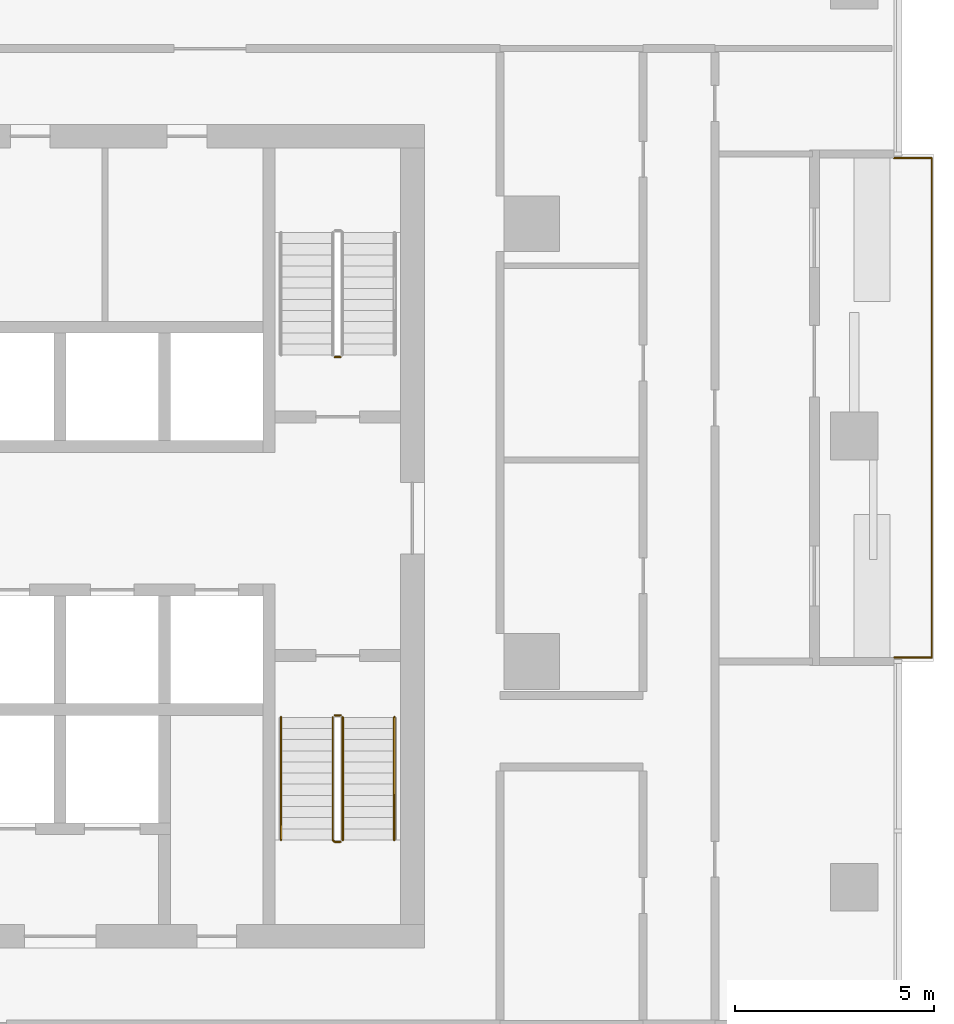
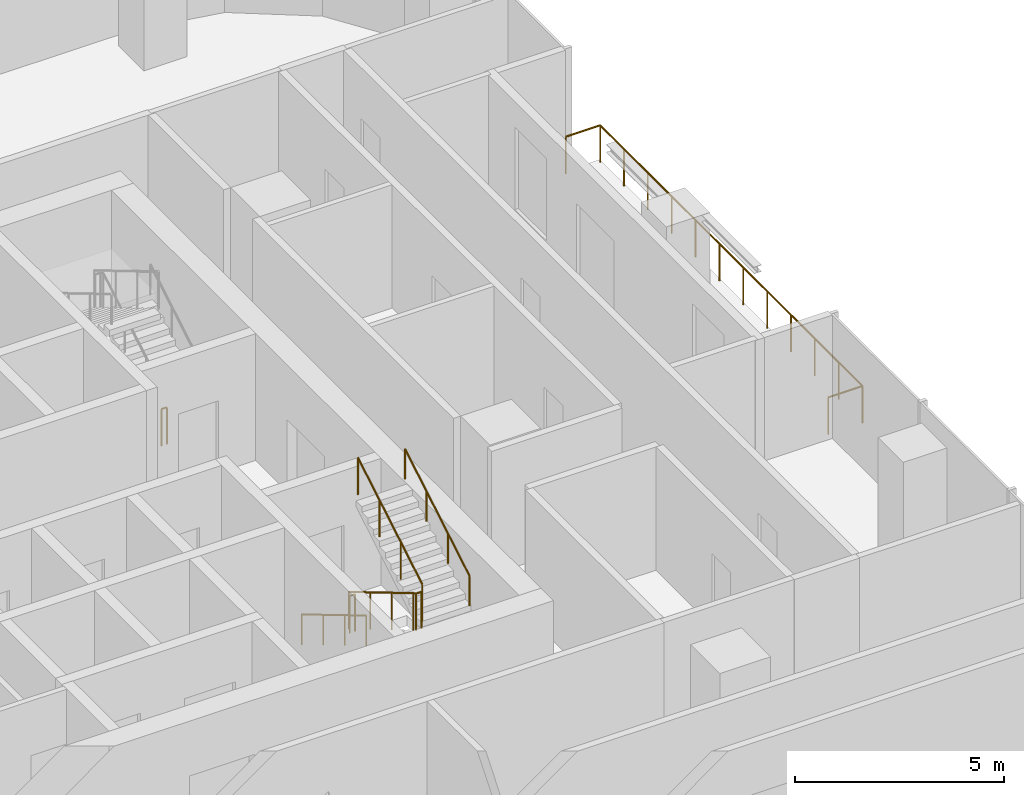
# One storey, part 14 of 15: 7 railings.
"""IFC4 building model written with IfcOpenShell, lengths in metres."""

from ifc_helpers import new_model, si_unit, direction, frame, origin, origin_2d, place, context, subcontext, project, spatial, circle, extrude, material, type_object, element, save


model = new_model("IFC4")

# Units and contexts
model_context = context("Model", 3, precision=1e-05, world=origin(), true_north=direction((0.0, 1.0)))
body_context = subcontext(model_context, "Body", "Model", "MODEL_VIEW")
ifc_project = project(units=[si_unit("LENGTHUNIT", "METRE"), si_unit("AREAUNIT", "SQUARE_METRE"), si_unit("VOLUMEUNIT", "CUBIC_METRE"), si_unit("PLANEANGLEUNIT", "RADIAN"), si_unit("MASSUNIT", "GRAM", prefix="KILO")], contexts=[model_context])

# Site, building, storey
site_placement = place(None, origin())
site = spatial("IfcSite", under=ifc_project, at=site_placement, CompositionType="ELEMENT")
building_placement = place(site_placement, origin())
building = spatial("IfcBuilding", under=site, at=building_placement, Name="Mopane Tessera Tower", CompositionType="ELEMENT")
storey_placement = place(building_placement, frame((0.0, 0.0, 173.0)))
storey = spatial("IfcBuildingStorey", under=building, at=storey_placement, Name="L35", CompositionType="ELEMENT", Elevation=173.0)

# Railings
ifc_material_1 = material(Name="Powder-coated steel balustrade", Category="steel")
railing_type_1 = type_object("IfcRailingType", Name="Escape stair guard 1100 mm", PredefinedType="GUARDRAIL", material=ifc_material_1)
railing_1_placement = place(storey_placement, frame((12.10009765625, -1.39990234375, 0.166748046875)))
element("IfcRailing", 1, at=railing_1_placement, inside=storey, type_object=railing_type_1, Name="L35 ST3 stair guard 1", PredefinedType="GUARDRAIL", context=body_context, shape_type="SweptSolid", body=[
    extrude(circle(Radius=0.02392578125, at=origin_2d()), frame((0.0, 0.0, 1.076171875), z_axis=(0.0, -0.859308565015, 0.511457515432), x_axis=(1.0, 0.0, 0.0)), (0.0, 0.0, 1.0), 3.58447265625),
    extrude(circle(Radius=0.02392578125, at=origin_2d()), frame((0.0, -3.080078125, 2.9091796875), z_axis=(0.705375805398, -0.708833529934, 0.0), x_axis=(0.708833529934, 0.705375805398, 0.0)), (0.0, 0.0, 1.0), 0.070556640625),
    extrude(circle(Radius=0.02392578125, at=origin_2d()), frame((0.0498046875, -3.130126953125, 2.9091796875), z_axis=(1.0, 0.0, 0.0), x_axis=(0.0, 1.0, 0.0)), (0.0, 0.0, 1.0), 0.150146484375),
    extrude(circle(Radius=0.02099609375, at=origin_2d()), origin(), (0.0, 0.0, 1.0), 1.052001953125),
    extrude(circle(Radius=0.02099609375, at=origin_2d()), frame((0.0, -1.026611328125, 0.611083984375)), (0.0, 0.0, 1.0), 1.052001953125),
    extrude(circle(Radius=0.02099609375, at=origin_2d()), frame((0.0, -2.053466796875, 1.22216796875)), (0.0, 0.0, 1.0), 1.052001953125),
    extrude(circle(Radius=0.02099609375, at=origin_2d()), frame((0.0, -3.080078125, 1.833251953125)), (0.0, 0.0, 1.0), 1.052001953125),
    extrude(circle(Radius=0.02099609375, at=origin_2d()), frame((0.0498046875, -3.130126953125, 1.833251953125)), (0.0, 0.0, 1.0), 1.052001953125),
    extrude(circle(Radius=0.02099609375, at=origin_2d()), frame((0.199951171875, -3.130126953125, 1.833251953125)), (0.0, 0.0, 1.0), 1.052001953125),
])
railing_2_placement = place(storey_placement, frame((12.35009765625, -4.47998046875, 2.166748046875)))
element("IfcRailing", 2, at=railing_2_placement, inside=storey, type_object=railing_type_1, Name="L35 ST3 stair guard 2", PredefinedType="GUARDRAIL", context=body_context, shape_type="SweptSolid", body=[
    extrude(circle(Radius=0.02392578125, at=origin_2d()), frame((0.0, 0.0, 1.076171875), z_axis=(0.0, 0.859308565015, 0.511457515432), x_axis=(-1.0, 0.0, 0.0)), (0.0, 0.0, 1.0), 3.58447265625),
    extrude(circle(Radius=0.02099609375, at=origin_2d()), origin(), (0.0, 0.0, 1.0), 1.052001953125),
    extrude(circle(Radius=0.02099609375, at=origin_2d()), frame((0.0, 1.026611328125, 0.611083984375)), (0.0, 0.0, 1.0), 1.052001953125),
    extrude(circle(Radius=0.02099609375, at=origin_2d()), frame((0.0, 2.053466796875, 1.22216796875)), (0.0, 0.0, 1.0), 1.052001953125),
    extrude(circle(Radius=0.02099609375, at=origin_2d()), frame((0.0, 3.080078125, 1.833251953125)), (0.0, 0.0, 1.0), 1.052001953125),
])
railing_3_placement = place(storey_placement, frame((12.14990234375, -1.35009765625, 0.0)))
element("IfcRailing", 3, at=railing_3_placement, inside=storey, type_object=railing_type_1, Name="L35 ST3 stair guard 3", PredefinedType="GUARDRAIL", context=body_context, shape_type="SweptSolid", body=[
    extrude(circle(Radius=0.02392578125, at=origin_2d()), frame((0.0, 0.0, 1.076171875), z_axis=(1.0, 0.0, 0.0), x_axis=(0.0, 1.0, 0.0)), (0.0, 0.0, 1.0), 0.150146484375),
    extrude(circle(Radius=0.02099609375, at=origin_2d()), origin(), (0.0, 0.0, 1.0), 1.052001953125),
    extrude(circle(Radius=0.02099609375, at=origin_2d()), frame((0.150146484375, 0.0, 0.0)), (0.0, 0.0, 1.0), 1.052001953125),
])
railing_4_placement = place(storey_placement, frame((12.300048828125, 7.64990234375, 0.0)))
element("IfcRailing", 4, at=railing_4_placement, inside=storey, type_object=railing_type_1, Name="L35 ST4 stair guard 3", PredefinedType="GUARDRAIL", context=body_context, shape_type="SweptSolid", body=[
    extrude(circle(Radius=0.02392578125, at=origin_2d()), frame((0.0, 0.0, 1.076171875), z_axis=(-1.0, 0.0, 0.0), x_axis=(0.0, -1.0, 0.0)), (0.0, 0.0, 1.0), 0.150146484375),
    extrude(circle(Radius=0.02099609375, at=origin_2d()), origin(), (0.0, 0.0, 1.0), 1.052001953125),
    extrude(circle(Radius=0.02099609375, at=origin_2d()), frame((-0.150146484375, 0.0, 0.0)), (0.0, 0.0, 1.0), 1.052001953125),
])
ifc_material_2 = material(Name="Powder-coated steel balustrade", Category="steel")
railing_type_2 = type_object("IfcRailingType", Name="Escape stair handrail 900 mm", PredefinedType="HANDRAIL", material=ifc_material_2)
railing_5_placement = place(storey_placement, frame((10.800048828125, -1.39990234375, 0.166748046875)))
element("IfcRailing", 5, at=railing_5_placement, inside=storey, type_object=railing_type_2, Name="L35 ST3 stair handrail 1", PredefinedType="HANDRAIL", context=body_context, shape_type="SweptSolid", body=[
    extrude(circle(Radius=0.02392578125, at=origin_2d()), frame((0.0, 0.0, 0.8759765625), z_axis=(0.0, -0.859308565015, 0.511457515432), x_axis=(1.0, 0.0, 0.0)), (0.0, 0.0, 1.0), 3.58447265625),
    extrude(circle(Radius=0.02099609375, at=origin_2d()), origin(), (0.0, 0.0, 1.0), 0.851806640625),
    extrude(circle(Radius=0.02099609375, at=origin_2d()), frame((0.0, -1.026611328125, 0.611083984375)), (0.0, 0.0, 1.0), 0.851806640625),
    extrude(circle(Radius=0.02099609375, at=origin_2d()), frame((0.0, -2.053466796875, 1.22216796875)), (0.0, 0.0, 1.0), 0.851806640625),
    extrude(circle(Radius=0.02099609375, at=origin_2d()), frame((0.0, -3.080078125, 1.833251953125)), (0.0, 0.0, 1.0), 0.851806640625),
])
railing_6_placement = place(storey_placement, frame((13.64990234375, -4.47998046875, 2.166748046875)))
element("IfcRailing", 6, at=railing_6_placement, inside=storey, type_object=railing_type_2, Name="L35 ST3 stair handrail 2", PredefinedType="HANDRAIL", context=body_context, shape_type="SweptSolid", body=[
    extrude(circle(Radius=0.02392578125, at=origin_2d()), frame((0.0, 0.0, 0.8759765625), z_axis=(0.0, 0.859308565015, 0.511457515432), x_axis=(-1.0, 0.0, 0.0)), (0.0, 0.0, 1.0), 3.58447265625),
    extrude(circle(Radius=0.02099609375, at=origin_2d()), origin(), (0.0, 0.0, 1.0), 0.851806640625),
    extrude(circle(Radius=0.02099609375, at=origin_2d()), frame((0.0, 1.026611328125, 0.611083984375)), (0.0, 0.0, 1.0), 0.851806640625),
    extrude(circle(Radius=0.02099609375, at=origin_2d()), frame((0.0, 2.053466796875, 1.22216796875)), (0.0, 0.0, 1.0), 0.851806640625),
    extrude(circle(Radius=0.02099609375, at=origin_2d()), frame((0.0, 3.080078125, 1.833251953125)), (0.0, 0.0, 1.0), 0.851806640625),
])
ifc_material_3 = material(Name="Stainless steel S316", Category="steel")
railing_type_3 = type_object("IfcRailingType", Name="Terrace guard 1100", PredefinedType="GUARDRAIL", material=ifc_material_3)
railing_7_placement = place(storey_placement, frame((26.199951171875, 0.10009765625, 0.0)))
element("IfcRailing", 7, at=railing_7_placement, inside=storey, type_object=railing_type_3, Name="e:nw:L35:N3:guard", PredefinedType="GUARDRAIL", context=body_context, shape_type="SweptSolid", body=[
    extrude(circle(Radius=0.02392578125, at=origin_2d()), frame((0.0, 0.0, 1.076171875), z_axis=(1.0, 0.0, 0.0), x_axis=(0.0, 1.0, 0.0)), (0.0, 0.0, 1.0), 0.949951171875),
    extrude(circle(Radius=0.02392578125, at=origin_2d()), frame((0.949951171875, 0.0, 1.076171875), z_axis=(0.0, 1.0, 0.0), x_axis=(-1.0, 0.0, 0.0)), (0.0, 0.0, 1.0), 12.5498046875),
    extrude(circle(Radius=0.02392578125, at=origin_2d()), frame((0.949951171875, 12.5498046875, 1.076171875), z_axis=(-1.0, 0.0, 0.0), x_axis=(0.0, -1.0, 0.0)), (0.0, 0.0, 1.0), 0.949951171875),
    extrude(circle(Radius=0.02099609375, at=origin_2d()), origin(), (0.0, 0.0, 1.0), 1.052001953125),
    extrude(circle(Radius=0.02099609375, at=origin_2d()), frame((0.949951171875, 0.0, 0.0)), (0.0, 0.0, 1.0), 1.052001953125),
    extrude(circle(Radius=0.02099609375, at=origin_2d()), frame((0.949951171875, 1.140869140625, 0.0)), (0.0, 0.0, 1.0), 1.052001953125),
    extrude(circle(Radius=0.02099609375, at=origin_2d()), frame((0.949951171875, 2.28173828125, 0.0)), (0.0, 0.0, 1.0), 1.052001953125),
    extrude(circle(Radius=0.02099609375, at=origin_2d()), frame((0.949951171875, 3.422607421875, 0.0)), (0.0, 0.0, 1.0), 1.052001953125),
    extrude(circle(Radius=0.02099609375, at=origin_2d()), frame((0.949951171875, 4.5634765625, 0.0)), (0.0, 0.0, 1.0), 1.052001953125),
    extrude(circle(Radius=0.02099609375, at=origin_2d()), frame((0.949951171875, 5.704345703125, 0.0)), (0.0, 0.0, 1.0), 1.052001953125),
    extrude(circle(Radius=0.02099609375, at=origin_2d()), frame((0.949951171875, 6.845458984375, 0.0)), (0.0, 0.0, 1.0), 1.052001953125),
    extrude(circle(Radius=0.02099609375, at=origin_2d()), frame((0.949951171875, 7.986328125, 0.0)), (0.0, 0.0, 1.0), 1.052001953125),
    extrude(circle(Radius=0.02099609375, at=origin_2d()), frame((0.949951171875, 9.127197265625, 0.0)), (0.0, 0.0, 1.0), 1.052001953125),
    extrude(circle(Radius=0.02099609375, at=origin_2d()), frame((0.949951171875, 10.26806640625, 0.0)), (0.0, 0.0, 1.0), 1.052001953125),
    extrude(circle(Radius=0.02099609375, at=origin_2d()), frame((0.949951171875, 11.408935546875, 0.0)), (0.0, 0.0, 1.0), 1.052001953125),
    extrude(circle(Radius=0.02099609375, at=origin_2d()), frame((0.949951171875, 12.5498046875, 0.0)), (0.0, 0.0, 1.0), 1.052001953125),
    extrude(circle(Radius=0.02099609375, at=origin_2d()), frame((0.0, 12.5498046875, 0.0)), (0.0, 0.0, 1.0), 1.052001953125),
])

save(model, "model.ifc")
